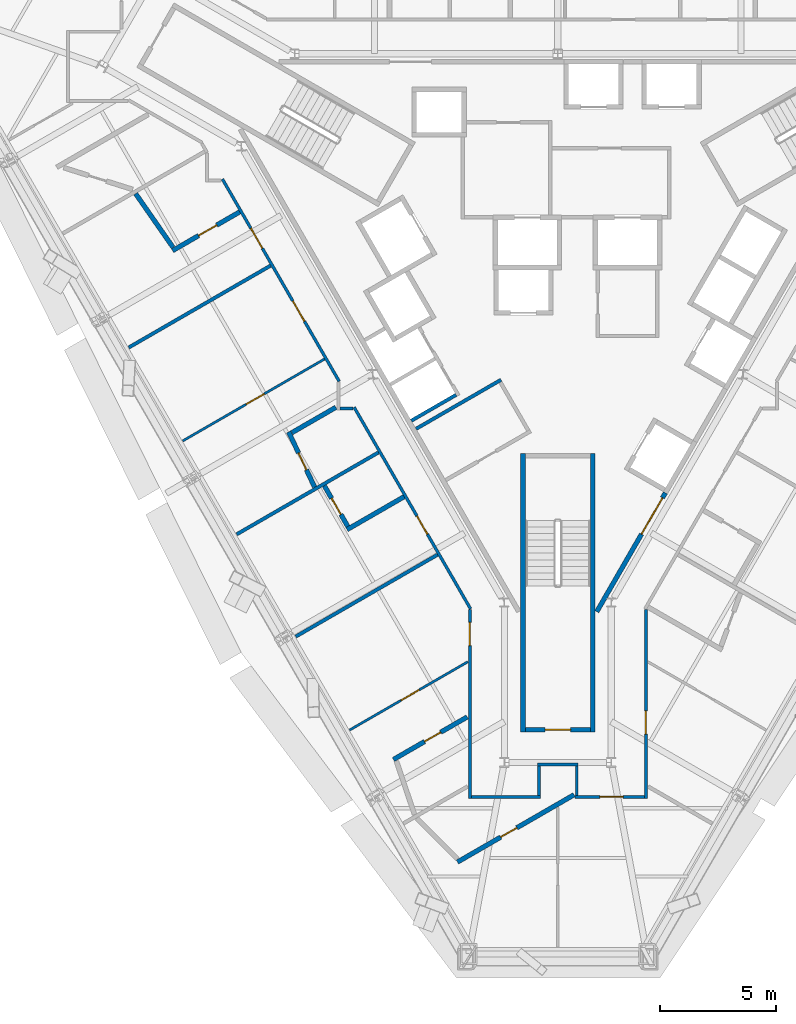
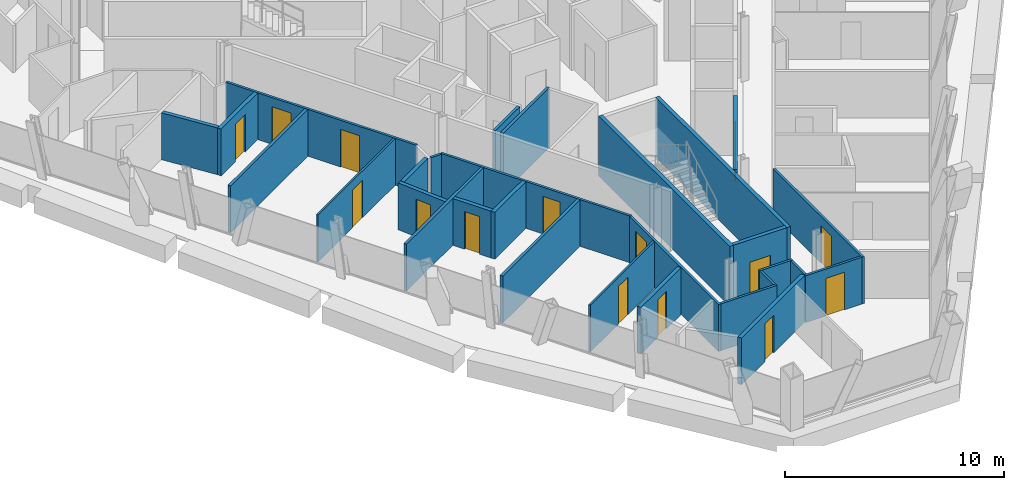
# One storey, part 7 of 13: 29 walls, 15 doors, 15 openings.
"""IFC4 building model written with IfcOpenShell, lengths in metres."""

from ifc_helpers import new_model, si_unit, direction, frame, frame_2d, origin, place, context, subcontext, project, spatial, rectangle, extrude, material, layer, layer_set, type_object, element, fill, save


model = new_model("IFC4")

# Units and contexts
model_context = context("Model", 3, precision=1e-05, world=origin(), true_north=direction((0.0, 1.0)))
body_context = subcontext(model_context, "Body", "Model", "MODEL_VIEW")
ifc_project = project(units=[si_unit("LENGTHUNIT", "METRE"), si_unit("AREAUNIT", "SQUARE_METRE"), si_unit("VOLUMEUNIT", "CUBIC_METRE"), si_unit("PLANEANGLEUNIT", "RADIAN"), si_unit("MASSUNIT", "GRAM", prefix="KILO")], contexts=[model_context])

# Site, building, storey
site_placement = place(None, origin())
site = spatial("IfcSite", under=ifc_project, at=site_placement, CompositionType="ELEMENT")
building_placement = place(site_placement, origin())
building = spatial("IfcBuilding", under=site, at=building_placement, Name="Verrane Prism Tower", CompositionType="ELEMENT")
storey_placement = place(building_placement, frame((0.0, 0.0, 100.0)))
storey = spatial("IfcBuildingStorey", under=building, at=storey_placement, Name="L23", CompositionType="ELEMENT", Elevation=100.0)

# Wall, opening, door
ifc_material_1 = material(Name="Gypsum board partition", Category="other")
ifc_layer_1 = layer(ifc_material_1, 0.199951171875)
ifc_layer_set_1 = layer_set([ifc_layer_1], Name="CW-200 core boundary wall 2 h")
wall_type_1 = type_object("IfcWallType", Name="CW-200 core boundary wall 2 h", PredefinedType="PARTITIONING", material=ifc_layer_set_1)
wall_1_placement = place(storey_placement, frame((1.677490234375, -14.814697265625, 0.0), z_axis=(0.0, 0.0, 1.0), x_axis=(0.49999445743, 0.866028603765, 0.0)))
wall_1 = element("IfcWall", 1, at=wall_1_placement, inside=storey, type_object=wall_type_1, Name="Core boundary wall CW3-003", PredefinedType="PARTITIONING", context=body_context, shape_type="SweptSolid", body=[
    extrude(rectangle(XDim=5.90478515625, YDim=0.199951171875, at=frame_2d((2.952392578125, 0.0))), origin(), (0.0, 0.0, 1.0), 3.35009765625),
])
opening_1_placement = place(wall_1_placement, frame((3.85498046875, 0.0, 0.0)))
opening_1 = element("IfcOpeningElement", 2, at=opening_1_placement, cuts=wall_1, Name="Opening D21517", PredefinedType="OPENING", context=body_context, shape_type="SweptSolid", body=[
    extrude(rectangle(XDim=1.800048828125, YDim=2.10009765625, at=frame_2d((0.89990234375, 1.050048828125))), frame((0.0, 0.10986328125, 0.0), z_axis=(0.0, -1.0, 0.0), x_axis=(1.0, 0.0, 0.0)), (0.0, 0.0, 1.0), 0.219970703125),
])
ifc_material_2 = material(Name="Timber veneered door leaf", Category="wood")
door_type_1 = type_object("IfcDoorType", Name="DR-1800x2100 FD60 double leaf lift lobby", OperationType="NOTDEFINED", PredefinedType="DOOR", material=ifc_material_2)
door_1_placement = place(opening_1_placement, origin())
door_1 = element("IfcDoor", 3, at=door_1_placement, inside=storey, type_object=door_type_1, Name="Lift lobby door D21517", OperationType="DOUBLE_DOOR_SINGLE_SWING", OverallHeight=2.10009765625, OverallWidth=1.800048828125, PredefinedType="DOOR", context=body_context, shape_type="SweptSolid", body=[
    extrude(rectangle(XDim=1.800048828125, YDim=2.10009765625, at=frame_2d((0.89990234375, 1.050048828125))), frame((0.0, 0.02490234375, 0.0), z_axis=(0.0, -1.0, 0.0), x_axis=(1.0, 0.0, 0.0)), (0.0, 0.0, 1.0), 0.050048828125),
])
fill(opening_1, door_1)

ifc_material_3 = material(Name="Concrete C40/50", Category="concrete")
ifc_layer_2 = layer(ifc_material_3, 0.199951171875)
ifc_layer_set_2 = layer_set([ifc_layer_2], Name="CW-200 stair core wall concrete C40/50 3 h")
wall_type_2 = type_object("IfcWallType", Name="CW-200 stair core wall concrete C40/50 3 h", PredefinedType="PARTITIONING", material=ifc_layer_set_2)
wall_2_placement = place(storey_placement, frame((-1.39990234375, -19.89990234375, 0.0), z_axis=(0.0, 0.0, 1.0), x_axis=(1.0, 0.0, 0.0)))
wall_2 = element("IfcWall", 4, at=wall_2_placement, inside=storey, type_object=wall_type_2, Name="Stair 3 enclosure wall", PredefinedType="PARTITIONING", context=body_context, shape_type="SweptSolid", body=[
    extrude(rectangle(XDim=2.7998046875, YDim=0.199951171875, at=frame_2d((1.39990234375, 0.0))), origin(), (0.0, 0.0, 1.0), 3.35009765625),
])
opening_2_placement = place(wall_2_placement, frame((0.85009765625, 0.0, 0.0)))
opening_2 = element("IfcOpeningElement", 5, at=opening_2_placement, cuts=wall_2, Name="Opening D21502", PredefinedType="OPENING", context=body_context, shape_type="SweptSolid", body=[
    extrude(rectangle(XDim=1.10009765625, YDim=2.10009765625, at=frame_2d((0.550048828125, 1.050048828125))), frame((0.0, 0.10986328125, 0.0), z_axis=(0.0, -1.0, 0.0), x_axis=(1.0, 0.0, 0.0)), (0.0, 0.0, 1.0), 0.219970703125),
])
ifc_material_4 = material(Name="Timber veneered door leaf", Category="wood")
door_type_2 = type_object("IfcDoorType", Name="DR-1100x2100 FD90 single leaf stair", OperationType="NOTDEFINED", PredefinedType="DOOR", material=ifc_material_4)
door_2_placement = place(opening_2_placement, origin())
door_2 = element("IfcDoor", 6, at=door_2_placement, inside=storey, type_object=door_type_2, Name="Stair 3 door", OperationType="SINGLE_SWING_LEFT", OverallHeight=2.10009765625, OverallWidth=1.10009765625, PredefinedType="DOOR", context=body_context, shape_type="SweptSolid", body=[
    extrude(rectangle(XDim=1.10009765625, YDim=2.10009765625, at=frame_2d((0.550048828125, 1.050048828125))), frame((0.0, 0.02490234375, 0.0), z_axis=(0.0, -1.0, 0.0), x_axis=(1.0, 0.0, 0.0)), (0.0, 0.0, 1.0), 0.050048828125),
])
fill(opening_2, door_2)

# Walls
for number, where, z_axis, x_axis, name in (
    (7, (1.5, -8.0, 0.0), (0.0, 0.0, 1.0), (0.0, -1.0, 0.0), "Stair 3 enclosure wall"),
    (8, (-1.5, -8.0, 0.0), (0.0, 0.0, 1.0), (0.0, -1.0, 0.0), "Stair 3 enclosure wall"),
):
    element("IfcWall", number, at=place(storey_placement, frame(where, z_axis=z_axis, x_axis=x_axis)), inside=storey, type_object=wall_type_2, Name=name, PredefinedType="PARTITIONING", context=body_context, shape_type="SweptSolid", body=[
        extrude(rectangle(XDim=12.0, YDim=0.199951171875, at=frame_2d((6.0, 0.0))), origin(), (0.0, 0.0, 1.0), 3.35009765625),
    ])

# Wall, opening, door
ifc_material_5 = material(Name="Gypsum board partition", Category="other")
ifc_layer_3 = layer(ifc_material_5, 0.10009765625)
ifc_layer_set_3 = layer_set([ifc_layer_3], Name="PW-100 room partition")
wall_type_3 = type_object("IfcWallType", Name="PW-100 room partition", PredefinedType="PARTITIONING", material=ifc_layer_set_3)
wall_3_placement = place(storey_placement, frame((-10.037109375, -3.940185546875, 0.0), z_axis=(0.0, 0.0, 1.0), x_axis=(-0.866063951978, -0.499933226626, 0.0)))
wall_3 = element("IfcWall", 9, at=wall_3_placement, inside=storey, type_object=wall_type_3, Name="Room partition 018", PredefinedType="PARTITIONING", context=body_context, shape_type="SweptSolid", body=[
    extrude(rectangle(XDim=7.05224609375, YDim=0.10009765625, at=frame_2d((3.526123046875, 0.0))), origin(), (0.0, 0.0, 1.0), 2.613037109375),
])
opening_3_placement = place(wall_3_placement, frame((2.998291015625, 0.0, 0.0)))
opening_3 = element("IfcOpeningElement", 10, at=opening_3_placement, cuts=wall_3, Name="Opening D21031", PredefinedType="OPENING", context=body_context, shape_type="SweptSolid", body=[
    extrude(rectangle(XDim=0.89990234375, YDim=2.10009765625, at=frame_2d((0.449951171875, 1.050048828125))), frame((0.0, 0.06005859375, 0.0), z_axis=(0.0, -1.0, 0.0), x_axis=(1.0, 0.0, 0.0)), (0.0, 0.0, 1.0), 0.1201171875),
])
ifc_material_6 = material(Name="Timber veneered door leaf", Category="wood")
door_type_3 = type_object("IfcDoorType", Name="DR-900x2100 single leaf inner", OperationType="NOTDEFINED", PredefinedType="DOOR", material=ifc_material_6)
door_3_placement = place(opening_3_placement, origin())
door_3 = element("IfcDoor", 11, at=door_3_placement, inside=storey, type_object=door_type_3, Name="Suite Living Room door", OperationType="SINGLE_SWING_RIGHT", OverallHeight=2.10009765625, OverallWidth=0.89990234375, PredefinedType="DOOR", context=body_context, shape_type="SweptSolid", body=[
    extrude(rectangle(XDim=0.89990234375, YDim=2.10009765625, at=frame_2d((0.449951171875, 1.050048828125))), frame((0.0, 0.02490234375, 0.0), z_axis=(0.0, -1.0, 0.0), x_axis=(1.0, 0.0, 0.0)), (0.0, 0.0, 1.0), 0.050048828125),
])
fill(opening_3, door_3)

wall_4_placement = place(storey_placement, frame((-3.87451171875, -16.972412109375, 0.0), z_axis=(0.0, 0.0, 1.0), x_axis=(-0.86602429061, -0.500001928069, 0.0)))
wall_4 = element("IfcWall", 12, at=wall_4_placement, inside=storey, type_object=wall_type_3, Name="Room partition 036", PredefinedType="PARTITIONING", context=body_context, shape_type="SweptSolid", body=[
    extrude(rectangle(XDim=5.873046875, YDim=0.10009765625, at=frame_2d((2.9365234375, 0.0))), origin(), (0.0, 0.0, 1.0), 2.613037109375),
])
opening_4_placement = place(wall_4_placement, frame((2.419189453125, 0.0, 0.0)))
opening_4 = element("IfcOpeningElement", 13, at=opening_4_placement, cuts=wall_4, Name="Opening D21036", PredefinedType="OPENING", context=body_context, shape_type="SweptSolid", body=[
    extrude(rectangle(XDim=0.89990234375, YDim=2.10009765625, at=frame_2d((0.449951171875, 1.050048828125))), frame((0.0, 0.06005859375, 0.0), z_axis=(0.0, -1.0, 0.0), x_axis=(1.0, 0.0, 0.0)), (0.0, 0.0, 1.0), 0.1201171875),
])
door_4_placement = place(opening_4_placement, origin())
door_4 = element("IfcDoor", 14, at=door_4_placement, inside=storey, type_object=door_type_3, Name="Suite Living Room door", OperationType="SINGLE_SWING_LEFT", OverallHeight=2.10009765625, OverallWidth=0.89990234375, PredefinedType="DOOR", context=body_context, shape_type="SweptSolid", body=[
    extrude(rectangle(XDim=0.89990234375, YDim=2.10009765625, at=frame_2d((0.449951171875, 1.050048828125))), frame((0.0, 0.02490234375, 0.0), z_axis=(0.0, -1.0, 0.0), x_axis=(1.0, 0.0, 0.0)), (0.0, 0.0, 1.0), 0.050048828125),
])
fill(opening_4, door_4)

# Wall, openings, doors
ifc_material_7 = material(Name="Gypsum board partition", Category="other")
ifc_layer_4 = layer(ifc_material_7, 0.125)
ifc_layer_set_4 = layer_set([ifc_layer_4], Name="PW-125 corridor wall 1 h")
wall_type_4 = type_object("IfcWallType", Name="PW-125 corridor wall 1 h", PredefinedType="PARTITIONING", material=ifc_layer_set_4)
wall_5_placement = place(storey_placement, frame((-9.40966796875, -4.902099609375, 0.0), z_axis=(0.0, 0.0, 1.0), x_axis=(-0.499971244726, 0.866042005013, 0.0)))
wall_5 = element("IfcWall", 15, at=wall_5_placement, inside=storey, type_object=wall_type_4, Name="Corridor wall 025", PredefinedType="PARTITIONING", context=body_context, shape_type="SweptSolid", body=[
    extrude(rectangle(XDim=10.0517578125, YDim=0.125, at=frame_2d((5.02587890625, 0.0))), origin(), (0.0, 0.0, 1.0), 2.613037109375),
])
opening_5_placement = place(wall_5_placement, frame((6.608154296875, 0.0, 0.0)))
opening_5 = element("IfcOpeningElement", 16, at=opening_5_placement, cuts=wall_5, Name="Opening D21028", PredefinedType="OPENING", context=body_context, shape_type="SweptSolid", body=[
    extrude(rectangle(XDim=1.0, YDim=2.10009765625, at=frame_2d((0.5, 1.050048828125))), frame((0.0, 0.072509765625, 0.0), z_axis=(0.0, -1.0, 0.0), x_axis=(1.0, 0.0, 0.0)), (0.0, 0.0, 1.0), 0.14501953125),
])
opening_6_placement = place(wall_5_placement, frame((2.9892578125, 0.0, 0.0)))
opening_6 = element("IfcOpeningElement", 17, at=opening_6_placement, cuts=wall_5, Name="Opening D21030", PredefinedType="OPENING", context=body_context, shape_type="SweptSolid", body=[
    extrude(rectangle(XDim=1.0, YDim=2.10009765625, at=frame_2d((0.5, 1.050048828125))), frame((0.0, 0.072509765625, 0.0), z_axis=(0.0, -1.0, 0.0), x_axis=(1.0, 0.0, 0.0)), (0.0, 0.0, 1.0), 0.14501953125),
])
ifc_material_8 = material(Name="Timber veneered door leaf", Category="wood")
door_type_4 = type_object("IfcDoorType", Name="DR-1000x2100 FD20 single leaf unit", OperationType="NOTDEFINED", PredefinedType="DOOR", material=ifc_material_8)
door_5_placement = place(opening_5_placement, origin())
door_5 = element("IfcDoor", 18, at=door_5_placement, inside=storey, type_object=door_type_4, Name="Accessible Guest Room door", OperationType="SINGLE_SWING_LEFT", OverallHeight=2.10009765625, OverallWidth=1.0, PredefinedType="DOOR", context=body_context, shape_type="SweptSolid", body=[
    extrude(rectangle(XDim=1.0, YDim=2.10009765625, at=frame_2d((0.5, 1.050048828125))), frame((0.0, 0.02490234375, 0.0), z_axis=(0.0, -1.0, 0.0), x_axis=(1.0, 0.0, 0.0)), (0.0, 0.0, 1.0), 0.050048828125),
])
fill(opening_5, door_5)
door_6_placement = place(opening_6_placement, origin())
door_6 = element("IfcDoor", 19, at=door_6_placement, inside=storey, type_object=door_type_4, Name="Suite Living Room door", OperationType="SINGLE_SWING_LEFT", OverallHeight=2.10009765625, OverallWidth=1.0, PredefinedType="DOOR", context=body_context, shape_type="SweptSolid", body=[
    extrude(rectangle(XDim=1.0, YDim=2.10009765625, at=frame_2d((0.5, 1.050048828125))), frame((0.0, 0.02490234375, 0.0), z_axis=(0.0, -1.0, 0.0), x_axis=(1.0, 0.0, 0.0)), (0.0, 0.0, 1.0), 0.050048828125),
])
fill(opening_6, door_6)

# Wall
wall_6_placement = place(storey_placement, frame((-9.3759765625, -6.071044921875, 0.0), z_axis=(0.0, 0.0, 1.0), x_axis=(1.0, 0.0, 0.0)))
element("IfcWall", 20, at=wall_6_placement, inside=storey, type_object=wall_type_4, Name="Corridor wall 034", PredefinedType="PARTITIONING", context=body_context, shape_type="SweptSolid", body=[
    extrude(rectangle(XDim=0.555908203125, YDim=0.125, at=frame_2d((0.27783203125, 0.0))), origin(), (0.0, 0.0, 1.0), 2.613037109375),
])

# Wall, opening, door
wall_7_placement = place(storey_placement, frame((-3.755859375, -14.694091796875, 0.0), z_axis=(0.0, 0.0, 1.0), x_axis=(-0.500051472265, 0.865995684219, 0.0)))
wall_7 = element("IfcWall", 21, at=wall_7_placement, inside=storey, type_object=wall_type_4, Name="Corridor wall 037", PredefinedType="PARTITIONING", context=body_context, shape_type="SweptSolid", body=[
    extrude(rectangle(XDim=10.02001953125, YDim=0.125, at=frame_2d((5.010009765625, 0.0))), origin(), (0.0, 0.0, 1.0), 2.613037109375),
])
opening_7_placement = place(wall_7_placement, frame((3.71142578125, 0.0, 0.0)))
opening_7 = element("IfcOpeningElement", 22, at=opening_7_placement, cuts=wall_7, Name="Opening D21033", PredefinedType="OPENING", context=body_context, shape_type="SweptSolid", body=[
    extrude(rectangle(XDim=0.89990234375, YDim=2.10009765625, at=frame_2d((0.449951171875, 1.050048828125))), frame((0.0, 0.072509765625, 0.0), z_axis=(0.0, -1.0, 0.0), x_axis=(1.0, 0.0, 0.0)), (0.0, 0.0, 1.0), 0.14501953125),
])
ifc_material_9 = material(Name="Timber veneered door leaf", Category="wood")
door_type_5 = type_object("IfcDoorType", Name="DR-900x2100 FD20 single leaf unit", OperationType="NOTDEFINED", PredefinedType="DOOR", material=ifc_material_9)
door_7_placement = place(opening_7_placement, origin())
door_7 = element("IfcDoor", 23, at=door_7_placement, inside=storey, type_object=door_type_5, Name="Guest Room door", OperationType="SINGLE_SWING_RIGHT", OverallHeight=2.10009765625, OverallWidth=0.89990234375, PredefinedType="DOOR", context=body_context, shape_type="SweptSolid", body=[
    extrude(rectangle(XDim=0.89990234375, YDim=2.10009765625, at=frame_2d((0.449951171875, 1.050048828125))), frame((0.0, 0.02490234375, 0.0), z_axis=(0.0, -1.0, 0.0), x_axis=(1.0, 0.0, 0.0)), (0.0, 0.0, 1.0), 0.050048828125),
])
fill(opening_7, door_7)

wall_8_placement = place(storey_placement, frame((-3.787109375, -22.849609375, 0.0), z_axis=(0.0, 0.0, 1.0), x_axis=(0.0, 1.0, 0.0)))
wall_8 = element("IfcWall", 24, at=wall_8_placement, inside=storey, type_object=wall_type_4, Name="Corridor wall 047", PredefinedType="PARTITIONING", context=body_context, shape_type="SweptSolid", body=[
    extrude(rectangle(XDim=8.12451171875, YDim=0.125, at=frame_2d((4.062255859375, 0.0))), origin(), (0.0, 0.0, 1.0), 2.613037109375),
])
opening_8_placement = place(wall_8_placement, frame((6.577392578125, 0.0, 0.0)))
opening_8 = element("IfcOpeningElement", 25, at=opening_8_placement, cuts=wall_8, Name="Opening D21035", PredefinedType="OPENING", context=body_context, shape_type="SweptSolid", body=[
    extrude(rectangle(XDim=1.0, YDim=2.10009765625, at=frame_2d((0.5, 1.050048828125))), frame((0.0, 0.072509765625, 0.0), z_axis=(0.0, -1.0, 0.0), x_axis=(1.0, 0.0, 0.0)), (0.0, 0.0, 1.0), 0.14501953125),
])
door_8_placement = place(opening_8_placement, origin())
door_8 = element("IfcDoor", 26, at=door_8_placement, inside=storey, type_object=door_type_4, Name="Suite Living Room door", OperationType="SINGLE_SWING_LEFT", OverallHeight=2.10009765625, OverallWidth=1.0, PredefinedType="DOOR", context=body_context, shape_type="SweptSolid", body=[
    extrude(rectangle(XDim=1.0, YDim=2.10009765625, at=frame_2d((0.5, 1.050048828125))), frame((0.0, 0.02490234375, 0.0), z_axis=(0.0, -1.0, 0.0), x_axis=(1.0, 0.0, 0.0)), (0.0, 0.0, 1.0), 0.050048828125),
])
fill(opening_8, door_8)

# Walls
wall_9_placement = place(storey_placement, frame((-3.721923828125, -22.787109375, 0.0), z_axis=(0.0, 0.0, 1.0), x_axis=(1.0, 0.0, 0.0)))
element("IfcWall", 27, at=wall_9_placement, inside=storey, type_object=wall_type_4, Name="Corridor wall 048", PredefinedType="PARTITIONING", context=body_context, shape_type="SweptSolid", body=[
    extrude(rectangle(XDim=2.971435546875, YDim=0.125, at=frame_2d((1.48583984375, 0.0))), origin(), (0.0, 0.0, 1.0), 2.613037109375),
])
wall_10_placement = place(storey_placement, frame((-0.81298828125, -22.721923828125, 0.0), z_axis=(0.0, 0.0, 1.0), x_axis=(0.0, 1.0, 0.0)))
element("IfcWall", 28, at=wall_10_placement, inside=storey, type_object=wall_type_4, Name="Corridor wall 050", PredefinedType="PARTITIONING", context=body_context, shape_type="SweptSolid", body=[
    extrude(rectangle(XDim=1.2568359375, YDim=0.125, at=frame_2d((0.62841796875, 0.0))), origin(), (0.0, 0.0, 1.0), 2.613037109375),
])
wall_11_placement = place(storey_placement, frame((-0.87548828125, -21.39990234375, 0.0), z_axis=(0.0, 0.0, 1.0), x_axis=(1.0, 0.0, 0.0)))
element("IfcWall", 29, at=wall_11_placement, inside=storey, type_object=wall_type_4, Name="Corridor wall 051", PredefinedType="PARTITIONING", context=body_context, shape_type="SweptSolid", body=[
    extrude(rectangle(XDim=1.7509765625, YDim=0.125, at=frame_2d((0.87548828125, 0.0))), origin(), (0.0, 0.0, 1.0), 2.613037109375),
])
wall_12_placement = place(storey_placement, frame((0.81298828125, -22.721923828125, 0.0), z_axis=(0.0, 0.0, 1.0), x_axis=(0.0, 1.0, 0.0)))
element("IfcWall", 30, at=wall_12_placement, inside=storey, type_object=wall_type_4, Name="Corridor wall 054", PredefinedType="PARTITIONING", context=body_context, shape_type="SweptSolid", body=[
    extrude(rectangle(XDim=1.2568359375, YDim=0.125, at=frame_2d((0.62841796875, 0.0))), origin(), (0.0, 0.0, 1.0), 2.613037109375),
])

# Wall, opening, door
wall_13_placement = place(storey_placement, frame((3.721923828125, -22.787109375, 0.0), z_axis=(0.0, 0.0, 1.0), x_axis=(-1.0, 0.0, 0.0)))
wall_13 = element("IfcWall", 31, at=wall_13_placement, inside=storey, type_object=wall_type_4, Name="Corridor wall 055", PredefinedType="PARTITIONING", context=body_context, shape_type="SweptSolid", body=[
    extrude(rectangle(XDim=2.971435546875, YDim=0.125, at=frame_2d((1.48583984375, 0.0))), origin(), (0.0, 0.0, 1.0), 2.613037109375),
])
opening_9_placement = place(wall_13_placement, frame((0.908935546875, 0.0, 0.0)))
opening_9 = element("IfcOpeningElement", 32, at=opening_9_placement, cuts=wall_13, Name="Opening D21038", PredefinedType="OPENING", context=body_context, shape_type="SweptSolid", body=[
    extrude(rectangle(XDim=1.0, YDim=2.10009765625, at=frame_2d((0.5, 1.050048828125))), frame((0.0, 0.072509765625, 0.0), z_axis=(0.0, -1.0, 0.0), x_axis=(1.0, 0.0, 0.0)), (0.0, 0.0, 1.0), 0.14501953125),
])
door_9_placement = place(opening_9_placement, origin())
door_9 = element("IfcDoor", 33, at=door_9_placement, inside=storey, type_object=door_type_4, Name="Suite Living Room door", OperationType="SINGLE_SWING_LEFT", OverallHeight=2.10009765625, OverallWidth=1.0, PredefinedType="DOOR", context=body_context, shape_type="SweptSolid", body=[
    extrude(rectangle(XDim=1.0, YDim=2.10009765625, at=frame_2d((0.5, 1.050048828125))), frame((0.0, 0.02490234375, 0.0), z_axis=(0.0, -1.0, 0.0), x_axis=(1.0, 0.0, 0.0)), (0.0, 0.0, 1.0), 0.050048828125),
])
fill(opening_9, door_9)

wall_14_placement = place(storey_placement, frame((3.787109375, -14.72509765625, 0.0), z_axis=(0.0, 0.0, 1.0), x_axis=(0.0, -1.0, 0.0)))
wall_14 = element("IfcWall", 34, at=wall_14_placement, inside=storey, type_object=wall_type_4, Name="Corridor wall 056", PredefinedType="PARTITIONING", context=body_context, shape_type="SweptSolid", body=[
    extrude(rectangle(XDim=8.12451171875, YDim=0.125, at=frame_2d((4.062255859375, 0.0))), origin(), (0.0, 0.0, 1.0), 2.613037109375),
])
opening_10_placement = place(wall_14_placement, frame((4.35693359375, 0.0, 0.0)))
opening_10 = element("IfcOpeningElement", 35, at=opening_10_placement, cuts=wall_14, Name="Opening D21001", PredefinedType="OPENING", context=body_context, shape_type="SweptSolid", body=[
    extrude(rectangle(XDim=1.0, YDim=2.10009765625, at=frame_2d((0.5, 1.050048828125))), frame((0.0, 0.072509765625, 0.0), z_axis=(0.0, -1.0, 0.0), x_axis=(1.0, 0.0, 0.0)), (0.0, 0.0, 1.0), 0.14501953125),
])
door_10_placement = place(opening_10_placement, origin())
door_10 = element("IfcDoor", 36, at=door_10_placement, inside=storey, type_object=door_type_4, Name="Suite Living Room door", OperationType="SINGLE_SWING_RIGHT", OverallHeight=2.10009765625, OverallWidth=1.0, PredefinedType="DOOR", context=body_context, shape_type="SweptSolid", body=[
    extrude(rectangle(XDim=1.0, YDim=2.10009765625, at=frame_2d((0.5, 1.050048828125))), frame((0.0, 0.02490234375, 0.0), z_axis=(0.0, -1.0, 0.0), x_axis=(1.0, 0.0, 0.0)), (0.0, 0.0, 1.0), 0.050048828125),
])
fill(opening_10, door_10)

# Walls
ifc_material_10 = material(Name="Gypsum board partition", Category="other")
ifc_layer_5 = layer(ifc_material_10, 0.14990234375)
ifc_layer_set_5 = layer_set([ifc_layer_5], Name="PW-150 demising wall 1 h")
wall_type_5 = type_object("IfcWallType", Name="PW-150 demising wall 1 h", PredefinedType="PARTITIONING", material=ifc_layer_set_5)
wall_15_placement = place(storey_placement, frame((-18.466064453125, -3.445068359375, 0.0), z_axis=(0.0, 0.0, 1.0), x_axis=(0.86605175433, 0.499954356739, 0.0)))
element("IfcWall", 37, at=wall_15_placement, inside=storey, type_object=wall_type_5, Name="Demising wall 014", PredefinedType="PARTITIONING", context=body_context, shape_type="SweptSolid", body=[
    extrude(rectangle(XDim=7.047607421875, YDim=0.14990234375, at=frame_2d((3.52392578125, 0.0))), origin(), (0.0, 0.0, 1.0), 2.613037109375),
])
wall_16_placement = place(storey_placement, frame((-13.8232421875, -11.48681640625, 0.0), z_axis=(0.0, 0.0, 1.0), x_axis=(0.865980767462, 0.500077304409, 0.0)))
element("IfcWall", 38, at=wall_16_placement, inside=storey, type_object=wall_type_5, Name="Demising wall 026", PredefinedType="PARTITIONING", context=body_context, shape_type="SweptSolid", body=[
    extrude(rectangle(XDim=7.04736328125, YDim=0.14990234375, at=frame_2d((3.523681640625, 0.0))), origin(), (0.0, 0.0, 1.0), 2.613037109375),
])
wall_17_placement = place(storey_placement, frame((-11.2822265625, -15.88818359375, 0.0), z_axis=(0.0, 0.0, 1.0), x_axis=(0.866031654768, 0.499989172823, 0.0)))
element("IfcWall", 39, at=wall_17_placement, inside=storey, type_object=wall_type_5, Name="Demising wall 030", PredefinedType="PARTITIONING", context=body_context, shape_type="SweptSolid", body=[
    extrude(rectangle(XDim=7.052001953125, YDim=0.14990234375, at=frame_2d((3.52587890625, 0.0))), origin(), (0.0, 0.0, 1.0), 2.613037109375),
])
ifc_material_11 = material(Name="Gypsum board partition", Category="other")
ifc_layer_6 = layer(ifc_material_11, 0.199951171875)
ifc_layer_set_6 = layer_set([ifc_layer_6], Name="PW-200 plumbing wall")
wall_type_6 = type_object("IfcWallType", Name="PW-200 plumbing wall", PredefinedType="PARTITIONING", material=ifc_layer_set_6)
wall_18_placement = place(storey_placement, frame((-18.170166015625, 3.17529296875, 0.0), z_axis=(0.0, 0.0, 1.0), x_axis=(0.571541682724, -0.820573034476, 0.0)))
element("IfcWall", 40, at=wall_18_placement, inside=storey, type_object=wall_type_6, Name="Plumbing wall 015", PredefinedType="PARTITIONING", context=body_context, shape_type="SweptSolid", body=[
    extrude(rectangle(XDim=2.817626953125, YDim=0.199951171875, at=frame_2d((1.40869140625, 0.0))), origin(), (0.0, 0.0, 1.0), 2.613037109375),
])

# Wall, opening, door
wall_19_placement = place(storey_placement, frame((-16.58349609375, 0.722900390625, 0.0), z_axis=(0.0, 0.0, 1.0), x_axis=(0.866001642064, 0.500041154249, 0.0)))
wall_19 = element("IfcWall", 41, at=wall_19_placement, inside=storey, type_object=wall_type_6, Name="Plumbing wall 017", PredefinedType="PARTITIONING", context=body_context, shape_type="SweptSolid", body=[
    extrude(rectangle(XDim=3.337646484375, YDim=0.199951171875, at=frame_2d((1.6689453125, 0.0))), origin(), (0.0, 0.0, 1.0), 2.613037109375),
])
opening_11_placement = place(wall_19_placement, frame((1.300048828125, 0.0, 0.0)))
opening_11 = element("IfcOpeningElement", 42, at=opening_11_placement, cuts=wall_19, Name="Opening D21029", PredefinedType="OPENING", context=body_context, shape_type="SweptSolid", body=[
    extrude(rectangle(XDim=0.89990234375, YDim=2.10009765625, at=frame_2d((0.449951171875, 1.050048828125))), frame((0.0, 0.10986328125, 0.0), z_axis=(0.0, -1.0, 0.0), x_axis=(1.0, 0.0, 0.0)), (0.0, 0.0, 1.0), 0.219970703125),
])
ifc_material_12 = material(Name="Timber veneered door leaf", Category="wood")
door_type_6 = type_object("IfcDoorType", Name="DR-900x2100 single leaf bath", OperationType="NOTDEFINED", PredefinedType="DOOR", material=ifc_material_12)
door_11_placement = place(opening_11_placement, origin())
door_11 = element("IfcDoor", 43, at=door_11_placement, inside=storey, type_object=door_type_6, Name="En-Suite door", OperationType="SINGLE_SWING_LEFT", OverallHeight=2.10009765625, OverallWidth=0.89990234375, PredefinedType="DOOR", context=body_context, shape_type="SweptSolid", body=[
    extrude(rectangle(XDim=0.89990234375, YDim=2.10009765625, at=frame_2d((0.449951171875, 1.050048828125))), frame((0.0, 0.02490234375, 0.0), z_axis=(0.0, -1.0, 0.0), x_axis=(1.0, 0.0, 0.0)), (0.0, 0.0, 1.0), 0.050048828125),
])
fill(opening_11, door_11)

wall_20_placement = place(storey_placement, frame((-11.58544921875, -7.077392578125, 0.0), z_axis=(0.0, 0.0, 1.0), x_axis=(0.425434257814, -0.904989332688, 0.0)))
wall_20 = element("IfcWall", 44, at=wall_20_placement, inside=storey, type_object=wall_type_6, Name="Plumbing wall 028", PredefinedType="PARTITIONING", context=body_context, shape_type="SweptSolid", body=[
    extrude(rectangle(XDim=2.62548828125, YDim=0.199951171875, at=frame_2d((1.312744140625, 0.0))), origin(), (0.0, 0.0, 1.0), 2.613037109375),
])
opening_12_placement = place(wall_20_placement, frame((1.0, 0.0, 0.0)))
opening_12 = element("IfcOpeningElement", 45, at=opening_12_placement, cuts=wall_20, Name="Opening D21032", PredefinedType="OPENING", context=body_context, shape_type="SweptSolid", body=[
    extrude(rectangle(XDim=0.800048828125, YDim=2.10009765625, at=frame_2d((0.39990234375, 1.050048828125))), frame((0.0, 0.10986328125, 0.0), z_axis=(0.0, -1.0, 0.0), x_axis=(1.0, 0.0, 0.0)), (0.0, 0.0, 1.0), 0.219970703125),
])
ifc_material_13 = material(Name="Timber veneered door leaf", Category="wood")
door_type_7 = type_object("IfcDoorType", Name="DR-800x2100 single leaf bath", OperationType="NOTDEFINED", PredefinedType="DOOR", material=ifc_material_13)
door_12_placement = place(opening_12_placement, origin())
door_12 = element("IfcDoor", 46, at=door_12_placement, inside=storey, type_object=door_type_7, Name="En-Suite door", OperationType="SINGLE_SWING_RIGHT", OverallHeight=2.10009765625, OverallWidth=0.800048828125, PredefinedType="DOOR", context=body_context, shape_type="SweptSolid", body=[
    extrude(rectangle(XDim=0.800048828125, YDim=2.10009765625, at=frame_2d((0.39990234375, 1.050048828125))), frame((0.0, 0.02490234375, 0.0), z_axis=(0.0, -1.0, 0.0), x_axis=(1.0, 0.0, 0.0)), (0.0, 0.0, 1.0), 0.050048828125),
])
fill(opening_12, door_12)

# Wall
wall_21_placement = place(storey_placement, frame((-11.44775390625, -7.113037109375, 0.0), z_axis=(0.0, 0.0, 1.0), x_axis=(0.865960673566, 0.500112099272, 0.0)))
element("IfcWall", 47, at=wall_21_placement, inside=storey, type_object=wall_type_6, Name="Plumbing wall 029", PredefinedType="PARTITIONING", context=body_context, shape_type="SweptSolid", body=[
    extrude(rectangle(XDim=2.1875, YDim=0.199951171875, at=frame_2d((1.09375, 0.0))), origin(), (0.0, 0.0, 1.0), 2.613037109375),
])

# Wall, opening, door
wall_22_placement = place(storey_placement, frame((-10.046875, -9.398193359375, 0.0), z_axis=(0.0, 0.0, 1.0), x_axis=(0.499935208997, -0.866062807656, 0.0)))
wall_22 = element("IfcWall", 48, at=wall_22_placement, inside=storey, type_object=wall_type_6, Name="Plumbing wall 031", PredefinedType="PARTITIONING", context=body_context, shape_type="SweptSolid", body=[
    extrude(rectangle(XDim=2.019775390625, YDim=0.199951171875, at=frame_2d((1.009765625, 0.0))), origin(), (0.0, 0.0, 1.0), 2.613037109375),
])
opening_13_placement = place(wall_22_placement, frame((0.6201171875, 0.0, 0.0)))
opening_13 = element("IfcOpeningElement", 49, at=opening_13_placement, cuts=wall_22, Name="Opening D21034", PredefinedType="OPENING", context=body_context, shape_type="SweptSolid", body=[
    extrude(rectangle(XDim=0.800048828125, YDim=2.10009765625, at=frame_2d((0.39990234375, 1.050048828125))), frame((0.0, 0.10986328125, 0.0), z_axis=(0.0, -1.0, 0.0), x_axis=(1.0, 0.0, 0.0)), (0.0, 0.0, 1.0), 0.219970703125),
])
door_13_placement = place(opening_13_placement, origin())
door_13 = element("IfcDoor", 50, at=door_13_placement, inside=storey, type_object=door_type_7, Name="En-Suite door", OperationType="SINGLE_SWING_RIGHT", OverallHeight=2.10009765625, OverallWidth=0.800048828125, PredefinedType="DOOR", context=body_context, shape_type="SweptSolid", body=[
    extrude(rectangle(XDim=0.800048828125, YDim=2.10009765625, at=frame_2d((0.39990234375, 1.050048828125))), frame((0.0, 0.02490234375, 0.0), z_axis=(0.0, -1.0, 0.0), x_axis=(1.0, 0.0, 0.0)), (0.0, 0.0, 1.0), 0.050048828125),
])
fill(opening_13, door_13)

# Wall
wall_23_placement = place(storey_placement, frame((-9.07373046875, -11.283935546875, 0.0), z_axis=(0.0, 0.0, 1.0), x_axis=(0.866197046655, 0.499702587912, 0.0)))
element("IfcWall", 51, at=wall_23_placement, inside=storey, type_object=wall_type_6, Name="Plumbing wall 035", PredefinedType="PARTITIONING", context=body_context, shape_type="SweptSolid", body=[
    extrude(rectangle(XDim=2.837158203125, YDim=0.199951171875, at=frame_2d((1.41845703125, 0.0))), origin(), (0.0, 0.0, 1.0), 2.613037109375),
])

# Wall, opening, door
wall_24_placement = place(storey_placement, frame((-3.8994140625, -19.344970703125, 0.0), z_axis=(0.0, 0.0, 1.0), x_axis=(-0.865971488458, -0.500093372459, 0.0)))
wall_24 = element("IfcWall", 52, at=wall_24_placement, inside=storey, type_object=wall_type_6, Name="Plumbing wall 041", PredefinedType="PARTITIONING", context=body_context, shape_type="SweptSolid", body=[
    extrude(rectangle(XDim=3.665283203125, YDim=0.199951171875, at=frame_2d((1.83251953125, 0.0))), origin(), (0.0, 0.0, 1.0), 2.613037109375),
])
opening_14_placement = place(wall_24_placement, frame((1.3154296875, 0.0, 0.0)))
opening_14 = element("IfcOpeningElement", 53, at=opening_14_placement, cuts=wall_24, Name="Opening D21037", PredefinedType="OPENING", context=body_context, shape_type="SweptSolid", body=[
    extrude(rectangle(XDim=0.800048828125, YDim=2.10009765625, at=frame_2d((0.39990234375, 1.050048828125))), frame((0.0, 0.10986328125, 0.0), z_axis=(0.0, -1.0, 0.0), x_axis=(1.0, 0.0, 0.0)), (0.0, 0.0, 1.0), 0.219970703125),
])
door_14_placement = place(opening_14_placement, origin())
door_14 = element("IfcDoor", 54, at=door_14_placement, inside=storey, type_object=door_type_7, Name="En-Suite door", OperationType="SINGLE_SWING_RIGHT", OverallHeight=2.10009765625, OverallWidth=0.800048828125, PredefinedType="DOOR", context=body_context, shape_type="SweptSolid", body=[
    extrude(rectangle(XDim=0.800048828125, YDim=2.10009765625, at=frame_2d((0.39990234375, 1.050048828125))), frame((0.0, 0.02490234375, 0.0), z_axis=(0.0, -1.0, 0.0), x_axis=(1.0, 0.0, 0.0)), (0.0, 0.0, 1.0), 0.050048828125),
])
fill(opening_14, door_14)

wall_25_placement = place(storey_placement, frame((-4.319580078125, -25.592041015625, 0.0), z_axis=(0.0, 0.0, 1.0), x_axis=(0.86603408909, 0.499984956307, 0.0)))
wall_25 = element("IfcWall", 55, at=wall_25_placement, inside=storey, type_object=wall_type_6, Name="Plumbing wall 046", PredefinedType="PARTITIONING", context=body_context, shape_type="SweptSolid", body=[
    extrude(rectangle(XDim=5.796630859375, YDim=0.199951171875, at=frame_2d((2.8984375, 0.0))), origin(), (0.0, 0.0, 1.0), 2.613037109375),
])
opening_15_placement = place(wall_25_placement, frame((2.14990234375, 0.0, 0.0)))
opening_15 = element("IfcOpeningElement", 56, at=opening_15_placement, cuts=wall_25, Name="Opening D21040", PredefinedType="OPENING", context=body_context, shape_type="SweptSolid", body=[
    extrude(rectangle(XDim=0.800048828125, YDim=2.10009765625, at=frame_2d((0.39990234375, 1.050048828125))), frame((0.0, 0.10986328125, 0.0), z_axis=(0.0, -1.0, 0.0), x_axis=(1.0, 0.0, 0.0)), (0.0, 0.0, 1.0), 0.219970703125),
])
door_15_placement = place(opening_15_placement, origin())
door_15 = element("IfcDoor", 57, at=door_15_placement, inside=storey, type_object=door_type_7, Name="En-Suite door", OperationType="SINGLE_SWING_RIGHT", OverallHeight=2.10009765625, OverallWidth=0.800048828125, PredefinedType="DOOR", context=body_context, shape_type="SweptSolid", body=[
    extrude(rectangle(XDim=0.800048828125, YDim=2.10009765625, at=frame_2d((0.39990234375, 1.050048828125))), frame((0.0, 0.02490234375, 0.0), z_axis=(0.0, -1.0, 0.0), x_axis=(1.0, 0.0, 0.0)), (0.0, 0.0, 1.0), 0.050048828125),
])
fill(opening_15, door_15)

# Walls
ifc_material_14 = material(Name="Gypsum board partition", Category="other")
ifc_layer_7 = layer(ifc_material_14, 0.14990234375)
ifc_layer_set_7 = layer_set([ifc_layer_7], Name="RS-150 riser enclosure wall 1 h")
wall_type_7 = type_object("IfcWallType", Name="RS-150 riser enclosure wall 1 h", PredefinedType="PARTITIONING", material=ifc_layer_set_7)
wall_26_placement = place(storey_placement, frame((-6.306396484375, -6.596923828125, 0.0), z_axis=(0.0, 0.0, 1.0), x_axis=(0.866019272134, 0.50001062018, 0.0)))
element("IfcWall", 58, at=wall_26_placement, inside=storey, type_object=wall_type_7, Name="Riser wall RS3-003", PredefinedType="PARTITIONING", context=body_context, shape_type="SweptSolid", body=[
    extrude(rectangle(XDim=2.224609375, YDim=0.14990234375, at=frame_2d((1.1123046875, 0.0))), origin(), (0.0, 0.0, 1.0), 3.35009765625),
])
wall_27_placement = place(storey_placement, frame((-6.10009765625, -6.945556640625, 0.0), z_axis=(0.0, 0.0, 1.0), x_axis=(0.866038200431, 0.499977834903, 0.0)))
element("IfcWall", 59, at=wall_27_placement, inside=storey, type_object=wall_type_7, Name="Riser wall RS3-004", PredefinedType="PARTITIONING", context=body_context, shape_type="SweptSolid", body=[
    extrude(rectangle(XDim=4.220458984375, YDim=0.14990234375, at=frame_2d((2.1103515625, 0.0))), origin(), (0.0, 0.0, 1.0), 3.35009765625),
])

save(model, "model.ifc")
